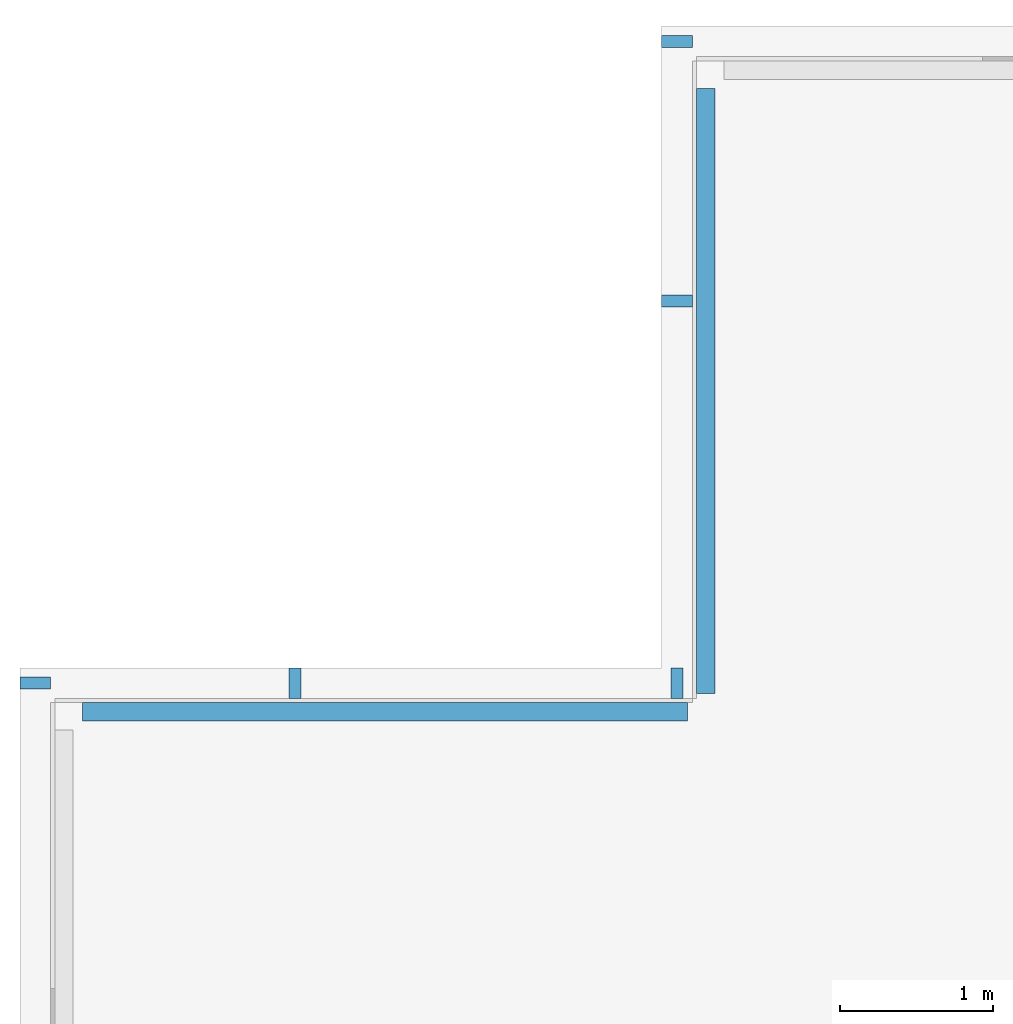
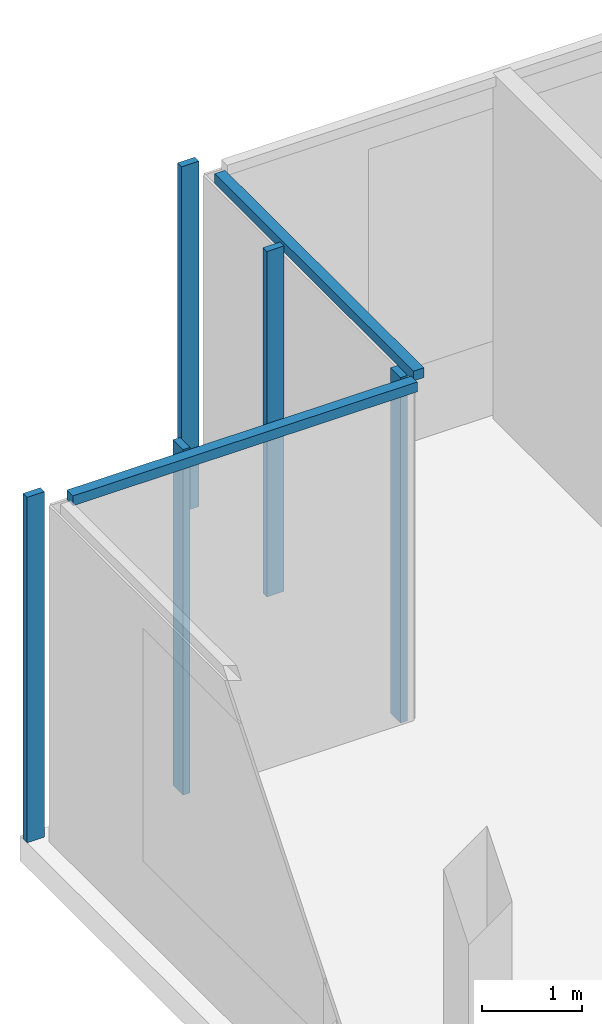
# One storey, part 6 of 14: 7 members, 3 elements without a shape of their own.
"""IFC4 building model written with IfcOpenShell, lengths in metres."""

from ifc_helpers import new_model, si_unit, direction, frame, origin, origin_2d, place, context, subcontext, project, spatial, rectangle, extrude, material, material_profile, profile_set, type_object, element, aggregate, save


model = new_model("IFC4")

# Units and contexts
model_context = context("Model", 3, precision=1e-05, world=origin(), true_north=direction((0.0, 1.0)))
body_context = subcontext(model_context, "Body", "Model", "MODEL_VIEW")
ifc_project = project(units=[si_unit("LENGTHUNIT", "METRE"), si_unit("AREAUNIT", "SQUARE_METRE"), si_unit("VOLUMEUNIT", "CUBIC_METRE"), si_unit("PLANEANGLEUNIT", "RADIAN"), si_unit("MASSUNIT", "GRAM", prefix="KILO")], contexts=[model_context])

# Site, building, storey
site_placement = place(None, origin())
site = spatial("IfcSite", under=ifc_project, at=site_placement, CompositionType="ELEMENT")
building_placement = place(site_placement, origin())
building = spatial("IfcBuilding", under=site, at=building_placement, Name="Saffron Gate Tower", CompositionType="ELEMENT")
storey_placement = place(building_placement, frame((0.0, 0.0, 310.35009765625)))
storey = spatial("IfcBuildingStorey", under=building, at=storey_placement, Name="L76", CompositionType="ELEMENT", Elevation=310.35009765625)

# Curtain wall, member
ifc_material = material(Name="Aluminium, bronze anodised", Category="aluminium")
curtain_wall_type = type_object("IfcCurtainWallType", Name="CWS6 curtain wall tall storeys", PredefinedType="NOTDEFINED", material=ifc_material)
curtain_wall_1_placement = place(storey_placement, origin())
curtain_wall_1 = element("IfcCurtainWall", 1, at=curtain_wall_1_placement, inside=storey, type_object=curtain_wall_type, Name="CWS6 run 8", PredefinedType="NOTDEFINED")
ifc_material_profile_1 = material_profile(ifc_material, rectangle(XDim=0.1201171875, YDim=0.1201171875, at=origin_2d()))
ifc_profile_set_1 = profile_set([ifc_material_profile_1], Name="Aluminium, bronze anodised")
member_type_1 = type_object("IfcMemberType", Name="CWS6 head transom", PredefinedType="USERDEFINED", material=ifc_profile_set_1)
member_1_placement = place(storey_placement, frame((60.887939453125, 75.19189453125, 4.139892578125), z_axis=(0.0, -1.0, 0.0), x_axis=(1.0, 0.0, 0.0)))
member_1 = element("IfcMember", 2, at=member_1_placement, type_object=member_type_1, Name="CWS6 head transom", ObjectType="TRANSOM", PredefinedType="USERDEFINED", context=body_context, shape_type="SweptSolid", body=[
    extrude(rectangle(XDim=0.1201171875, YDim=0.1201171875, at=origin_2d()), origin(), (0.0, 0.0, 1.0), 3.9599609375),
])

curtain_wall_2_placement = place(storey_placement, origin())
curtain_wall_2 = element("IfcCurtainWall", 3, at=curtain_wall_2_placement, inside=storey, type_object=curtain_wall_type, Name="CWS6 run 9", PredefinedType="NOTDEFINED")
member_2_placement = place(storey_placement, frame((60.76806640625, 71.112060546875, 4.139892578125), z_axis=(-1.0, 0.0, 0.0), x_axis=(0.0, -1.0, 0.0)))
member_2 = element("IfcMember", 4, at=member_2_placement, type_object=member_type_1, Name="CWS6 head transom", ObjectType="TRANSOM", PredefinedType="USERDEFINED", context=body_context, shape_type="SweptSolid", body=[
    extrude(rectangle(XDim=0.1201171875, YDim=0.1201171875, at=origin_2d()), origin(), (0.0, 0.0, 1.0), 3.9599609375),
])

# Member
ifc_material_profile_2 = material_profile(ifc_material, rectangle(XDim=0.199951171875, YDim=0.080078125, at=origin_2d()))
ifc_profile_set_2 = profile_set([ifc_material_profile_2], Name="Aluminium, bronze anodised")
member_type_2 = type_object("IfcMemberType", Name="CWS6 mullion 80x200", PredefinedType="MULLION", material=ifc_profile_set_2)
member_3_placement = place(storey_placement, frame((60.699951171875, 75.5, 0.0), z_axis=(0.0, 0.0, 1.0), x_axis=(1.0, 0.0, 0.0)))
member_3 = element("IfcMember", 5, at=member_3_placement, type_object=member_type_2, Name="CWS6 mullion 1", PredefinedType="MULLION", context=body_context, shape_type="SweptSolid", body=[
    extrude(rectangle(XDim=0.199951171875, YDim=0.080078125, at=origin_2d()), origin(), (0.0, 0.0, 1.0), 4.199951171875),
])

member_4_placement = place(storey_placement, frame((60.699951171875, 73.800048828125, 0.0), z_axis=(0.0, 0.0, 1.0), x_axis=(1.0, 0.0, 0.0)))
member_4 = element("IfcMember", 6, at=member_4_placement, type_object=member_type_2, Name="CWS6 mullion 2", PredefinedType="MULLION", context=body_context, shape_type="SweptSolid", body=[
    extrude(rectangle(XDim=0.199951171875, YDim=0.080078125, at=origin_2d()), origin(), (0.0, 0.0, 1.0), 4.199951171875),
])

aggregate(curtain_wall_1, [member_3, member_4, member_1])

member_5_placement = place(storey_placement, frame((60.699951171875, 71.300048828125, 0.0), z_axis=(0.0, 0.0, 1.0), x_axis=(0.0, -1.0, 0.0)))
member_5 = element("IfcMember", 7, at=member_5_placement, type_object=member_type_2, Name="CWS6 mullion 1", PredefinedType="MULLION", context=body_context, shape_type="SweptSolid", body=[
    extrude(rectangle(XDim=0.199951171875, YDim=0.080078125, at=origin_2d()), origin(), (0.0, 0.0, 1.0), 4.199951171875),
])

member_6_placement = place(storey_placement, frame((58.199951171875, 71.300048828125, 0.0), z_axis=(0.0, 0.0, 1.0), x_axis=(0.0, -1.0, 0.0)))
member_6 = element("IfcMember", 8, at=member_6_placement, type_object=member_type_2, Name="CWS6 mullion 2", PredefinedType="MULLION", context=body_context, shape_type="SweptSolid", body=[
    extrude(rectangle(XDim=0.199951171875, YDim=0.080078125, at=origin_2d()), origin(), (0.0, 0.0, 1.0), 4.199951171875),
])

aggregate(curtain_wall_2, [member_5, member_6, member_2])

# Curtain wall, member
curtain_wall_3_placement = place(storey_placement, origin())
curtain_wall_3 = element("IfcCurtainWall", 9, at=curtain_wall_3_placement, inside=storey, type_object=curtain_wall_type, Name="CWS6 run 10", PredefinedType="NOTDEFINED")
member_7_placement = place(storey_placement, frame((56.5, 71.300048828125, 0.0), z_axis=(0.0, 0.0, 1.0), x_axis=(1.0, 0.0, 0.0)))
member_7 = element("IfcMember", 10, at=member_7_placement, type_object=member_type_2, Name="CWS6 mullion 1", PredefinedType="MULLION", context=body_context, shape_type="SweptSolid", body=[
    extrude(rectangle(XDim=0.199951171875, YDim=0.080078125, at=origin_2d()), origin(), (0.0, 0.0, 1.0), 4.199951171875),
])
aggregate(curtain_wall_3, [member_7])

save(model, "model.ifc")
